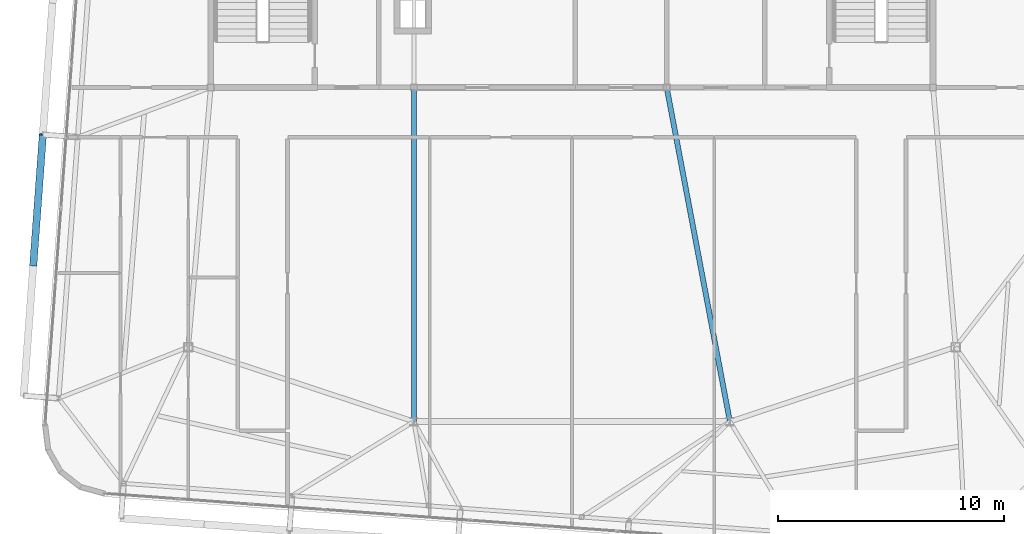
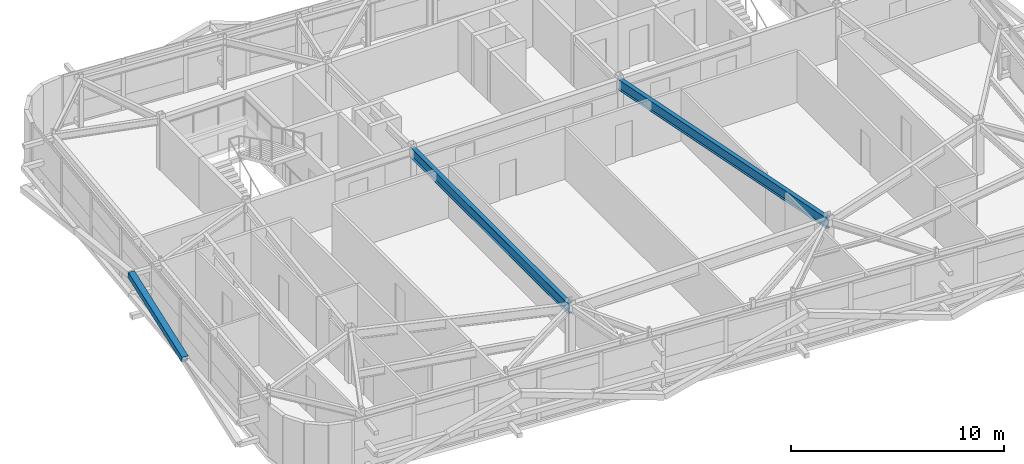
# One storey, part 14 of 42: 2 beams, 1 member.
"""IFC4 building model written with IfcOpenShell, lengths in metres."""

from ifc_helpers import new_model, si_unit, direction, frame, origin, origin_2d, place, context, subcontext, project, spatial, hollow_rectangle, i_section, extrude, source, transform, mapped, material, material_profile, profile_set, type_object, element, save


model = new_model("IFC4")

# Units and contexts
model_context = context("Model", 3, precision=1e-05, world=origin(), true_north=direction((0.0, 1.0)))
body_context = subcontext(model_context, "Body", "Model", "MODEL_VIEW")
ifc_project = project(units=[si_unit("LENGTHUNIT", "METRE"), si_unit("AREAUNIT", "SQUARE_METRE"), si_unit("VOLUMEUNIT", "CUBIC_METRE"), si_unit("PLANEANGLEUNIT", "RADIAN"), si_unit("MASSUNIT", "GRAM", prefix="KILO")], contexts=[model_context])

# Site, building, storey
site_placement = place(None, origin())
site = spatial("IfcSite", under=ifc_project, at=site_placement, CompositionType="ELEMENT")
building_placement = place(site_placement, origin())
building = spatial("IfcBuilding", under=site, at=building_placement, Name="Taldren Reach Tower", CompositionType="ELEMENT")
storey_placement = place(building_placement, frame((0.0, 0.0, 224.0)))
storey = spatial("IfcBuildingStorey", under=building, at=storey_placement, Name="L68", CompositionType="ELEMENT", Elevation=224.0)

# Beams
ifc_material_1 = material(Name="Steel Gr 350 (350PLUS)", Category="steel")
ifc_material_profile_1 = material_profile(ifc_material_1, i_section(OverallWidth=0.22802734375, OverallDepth=0.60205078125, WebThickness=0.010498046875, FlangeThickness=0.014892578125, at=origin_2d()), Name="610UB101")
ifc_profile_set_1 = profile_set([ifc_material_profile_1], Name="Steel Gr 350 (350PLUS)")
beam_type = type_object("IfcBeamType", Name="BM-UB610B", PredefinedType="BEAM", material=ifc_profile_set_1)
shared_shape_1 = source(origin(), body_context, "Body", "SweptSolid", [
    extrude(i_section(OverallWidth=0.22802734375, OverallDepth=0.60205078125, WebThickness=0.010498046875, FlangeThickness=0.014892578125, at=origin_2d()), origin(), (0.0, 0.0, 1.0), 14.800048828125),
])
beam_1_placement = place(storey_placement, frame((28.0, 24.0, 2.62890625), z_axis=(0.0, -1.0, 0.0), x_axis=(1.0, 0.0, 0.0)))
element("IfcBeam", 1, at=beam_1_placement, inside=storey, type_object=beam_type, Name="Core-spine girder L68-SP14", PredefinedType="BEAM", context=body_context, shape_type="MappedRepresentation", body=[
    mapped(shared_shape_1, transform((0.0, 0.0, 0.0), scale=1.0)),
])
shared_shape_2 = source(origin(), body_context, "Body", "SweptSolid", [
    extrude(i_section(OverallWidth=0.22802734375, OverallDepth=0.60205078125, WebThickness=0.010498046875, FlangeThickness=0.014892578125, at=origin_2d()), origin(), (0.0, 0.0, 1.0), 15.0625),
])
beam_2_placement = place(storey_placement, frame((39.199951171875, 24.0, 2.62890625), z_axis=(0.185894205668, -0.982569765614, 0.0), x_axis=(0.982569765614, 0.185894205668, 0.0)))
element("IfcBeam", 2, at=beam_2_placement, inside=storey, type_object=beam_type, Name="Core-spine girder L68-SP15", PredefinedType="BEAM", context=body_context, shape_type="MappedRepresentation", body=[
    mapped(shared_shape_2, transform((0.0, 0.0, 0.0), scale=1.0)),
])

# Member
ifc_material_2 = material(Name="Steel Gr 450 (C450L0)", Category="steel")
ifc_material_profile_2 = material_profile(ifc_material_2, hollow_rectangle(XDim=0.324951171875, YDim=0.324951171875, WallThickness=0.0126953125, at=origin_2d()), Name="325x325x12.7SHS")
ifc_profile_set_2 = profile_set([ifc_material_profile_2], Name="Steel Gr 450 (C450L0)")
member_type = type_object("IfcMemberType", Name="MB-BR324", PredefinedType="BRACE", material=ifc_profile_set_2)
shared_shape_3 = source(origin(), body_context, "Body", "SweptSolid", [
    extrude(hollow_rectangle(XDim=0.324951171875, YDim=0.324951171875, WallThickness=0.0126953125, at=origin_2d()), origin(), (0.0, 0.0, 1.0), 5.92578125),
])
member_placement = place(storey_placement, frame((11.137939453125, 16.12939453125, 1.43505859375), z_axis=(0.071686540919, 0.976131732187, 0.205007027365), x_axis=(-0.997314185625, 0.073242167855, 0.0)))
element("IfcMember", 3, at=member_placement, inside=storey, type_object=member_type, Name="Exoskeleton Diagrid Brace B5-W1 L68", PredefinedType="BRACE", context=body_context, shape_type="MappedRepresentation", body=[
    mapped(shared_shape_3, transform((0.0, 0.0, 0.0), scale=1.0)),
])

save(model, "model.ifc")
